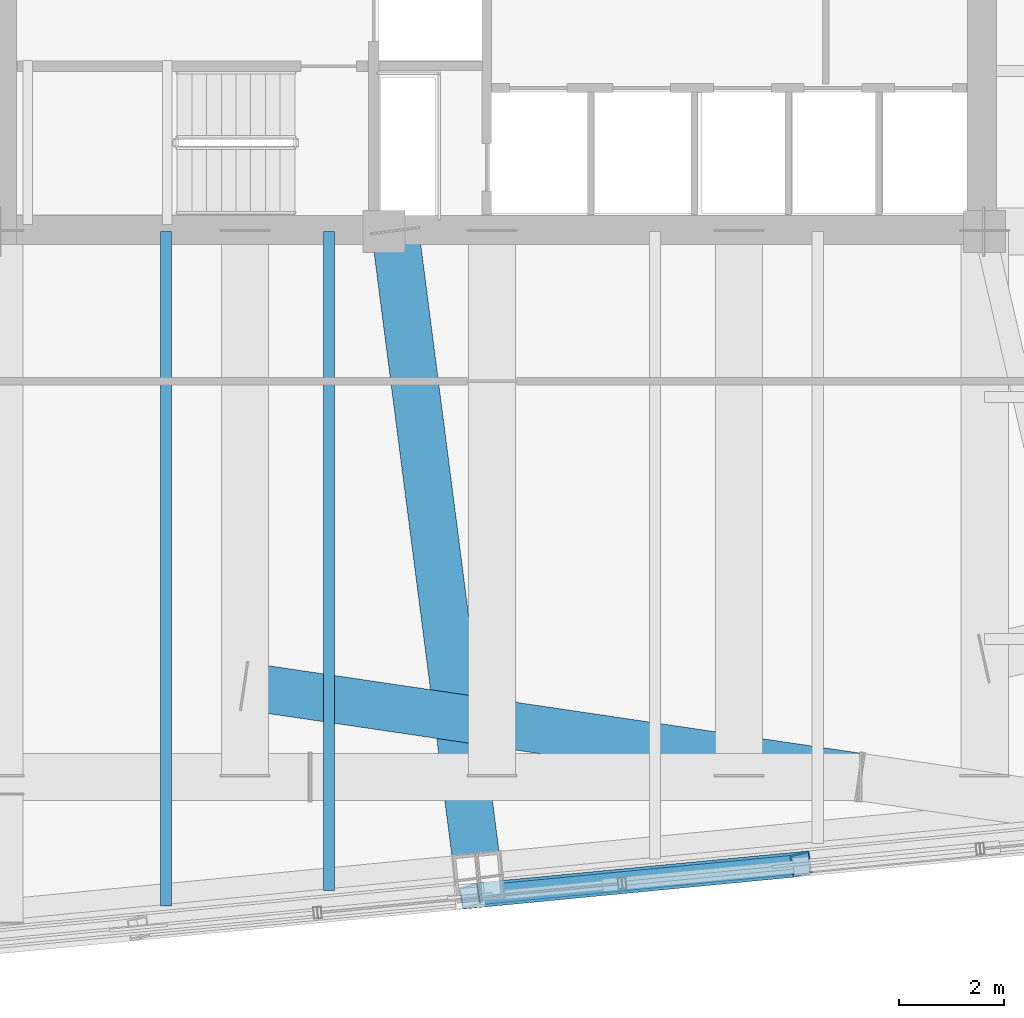
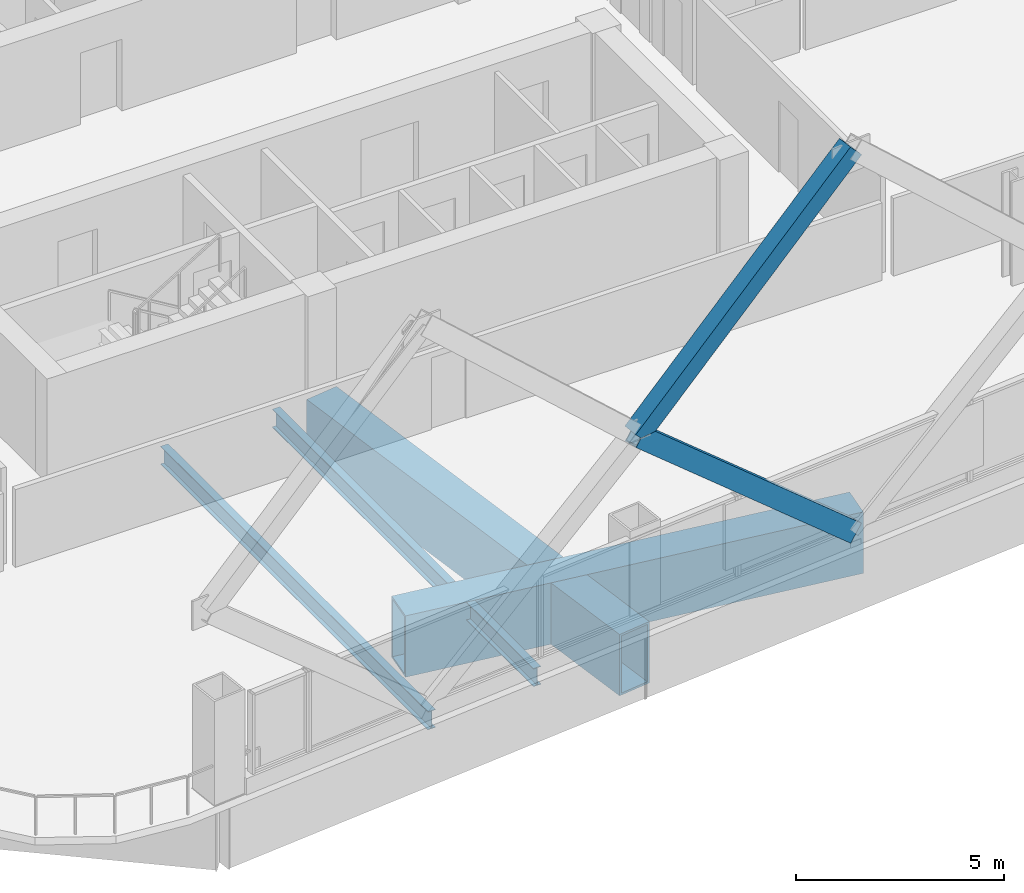
# One storey, part 7 of 42: 4 beams, 2 members.
"""IFC4 building model written with IfcOpenShell, lengths in metres."""

from ifc_helpers import new_model, si_unit, direction, frame, origin, origin_2d, place, context, subcontext, project, spatial, hollow_rectangle, i_section, extrude, material, material_profile, profile_set, type_object, element, save


model = new_model("IFC4")

# Units and contexts
model_context = context("Model", 3, precision=1e-05, world=origin(), true_north=direction((0.0, 1.0)))
body_context = subcontext(model_context, "Body", "Model", "MODEL_VIEW")
ifc_project = project(units=[si_unit("LENGTHUNIT", "METRE"), si_unit("AREAUNIT", "SQUARE_METRE"), si_unit("VOLUMEUNIT", "CUBIC_METRE"), si_unit("PLANEANGLEUNIT", "RADIAN"), si_unit("MASSUNIT", "GRAM", prefix="KILO")], contexts=[model_context])

# Site, building, storey
site_placement = place(None, origin())
site = spatial("IfcSite", under=ifc_project, at=site_placement, CompositionType="ELEMENT")
building_placement = place(site_placement, origin())
building = spatial("IfcBuilding", under=site, at=building_placement, Name="Qhalaya Broadcast Tower", CompositionType="ELEMENT")
storey_placement = place(building_placement, frame((0.0, 0.0, 69.449951171875)))
storey = spatial("IfcBuildingStorey", under=building, at=storey_placement, Name="L19", CompositionType="ELEMENT", Elevation=69.449951171875)

# Beams
ifc_material_1 = material(Name="Structural Steel ASTM A572 Grade 50", Category="steel")
ifc_material_profile_1 = material_profile(ifc_material_1, hollow_rectangle(XDim=0.89990234375, YDim=1.800048828125, WallThickness=0.06005859375, at=origin_2d()), Name="BOX 900x1800x60")
ifc_profile_set_1 = profile_set([ifc_material_profile_1], Name="Structural Steel ASTM A572 Grade 50")
beam_type_1 = type_object("IfcBeamType", Name="Block Cantilever Transfer Box Girder TG1", PredefinedType="USERDEFINED", material=ifc_profile_set_1)
beam_1_placement = place(storey_placement, frame((-1.839599609375, -8.75, -1.119873046875), z_axis=(0.127897552515, -0.991787384504, 0.0), x_axis=(0.991787384504, 0.127897552515, 0.0)))
element("IfcBeam", 1, at=beam_1_placement, inside=storey, type_object=beam_type_1, Name="L19 Continuous Cantilever Transfer Box Girder 02", ObjectType="GIRDER", PredefinedType="USERDEFINED", context=body_context, shape_type="SweptSolid", body=[
    extrude(hollow_rectangle(XDim=0.89990234375, YDim=1.800048828125, WallThickness=0.06005859375, at=origin_2d()), origin(), (0.0, 0.0, 1.0), 12.388671875),
])
beam_2_placement = place(storey_placement, frame((-4.699951171875, -17.40185546875, -1.119873046875), z_axis=(0.989274481041, -0.146068481065, 0.0), x_axis=(0.146068481065, 0.989274481041, 0.0)))
element("IfcBeam", 2, at=beam_2_placement, inside=storey, type_object=beam_type_1, Name="L19 Collinear Back-Span Transfer Box Girder 03", ObjectType="GIRDER", PredefinedType="USERDEFINED", context=body_context, shape_type="SweptSolid", body=[
    extrude(hollow_rectangle(XDim=0.89990234375, YDim=1.800048828125, WallThickness=0.06005859375, at=origin_2d()), origin(), (0.0, 0.0, 1.0), 11.830322265625),
])
ifc_material_2 = material(Name="Structural Steel ASTM A992 Grade 50", Category="steel")
ifc_material_profile_2 = material_profile(ifc_material_2, i_section(OverallWidth=0.2099609375, OverallDepth=0.535888671875, WebThickness=0.010986328125, FlangeThickness=0.017333984375, at=origin_2d()), Name="W21X68")
ifc_profile_set_2 = profile_set([ifc_material_profile_2], Name="Structural Steel ASTM A992 Grade 50")
beam_type_2 = type_object("IfcBeamType", Name="Composite Floor Joist J02", PredefinedType="JOIST", material=ifc_profile_set_2)
beam_3_placement = place(storey_placement, frame((-6.199951171875, -21.589111328125, -0.488037109375), z_axis=(0.0, 1.0, 0.0), x_axis=(-1.0, 0.0, 0.0)))
element("IfcBeam", 3, at=beam_3_placement, inside=storey, type_object=beam_type_2, Name="L19 J02 L19-JNS1-1", PredefinedType="JOIST", context=body_context, shape_type="SweptSolid", body=[
    extrude(i_section(OverallWidth=0.2099609375, OverallDepth=0.535888671875, WebThickness=0.010986328125, FlangeThickness=0.017333984375, at=origin_2d()), origin(), (0.0, 0.0, 1.0), 12.839111328125),
])
beam_4_placement = place(storey_placement, frame((-3.10009765625, -21.290771484375, -0.488037109375), z_axis=(0.0, 1.0, 0.0), x_axis=(-1.0, 0.0, 0.0)))
element("IfcBeam", 4, at=beam_4_placement, inside=storey, type_object=beam_type_2, Name="L19 J02 L19-JNS2-1", PredefinedType="JOIST", context=body_context, shape_type="SweptSolid", body=[
    extrude(i_section(OverallWidth=0.2099609375, OverallDepth=0.535888671875, WebThickness=0.010986328125, FlangeThickness=0.017333984375, at=origin_2d()), origin(), (0.0, 0.0, 1.0), 12.540771484375),
])

# Members
ifc_material_profile_3 = material_profile(ifc_material_1, hollow_rectangle(XDim=0.419921875, YDim=0.550048828125, WallThickness=0.028076171875, at=origin_2d()), Name="BOX 420x550x28")
ifc_profile_set_3 = profile_set([ifc_material_profile_3], Name="Structural Steel ASTM A572 Grade 50")
member_type = type_object("IfcMemberType", Name="Exoskeleton Diamond Diagonal Mid-Low EX2", PredefinedType="BRACE", material=ifc_profile_set_3)
member_1_placement = place(storey_placement, frame((5.882568359375, -20.78759765625, 0.360107421875), z_axis=(-0.758637209183, -0.073037413912, 0.647406457345), x_axis=(0.157155783857, -0.98486851796, 0.073048353381)))
element("IfcMember", 5, at=member_1_placement, inside=storey, type_object=member_type, Name="B2 Exoskeleton Diamond Brace S2-D1", PredefinedType="BRACE", context=body_context, shape_type="SweptSolid", body=[
    extrude(hollow_rectangle(XDim=0.419921875, YDim=0.550048828125, WallThickness=0.028076171875, at=origin_2d()), origin(), (0.0, 0.0, 1.0), 8.309814453125),
])
member_2_placement = place(storey_placement, frame((-0.421630859375, -21.39453125, 5.739990234375), z_axis=(0.730619555004, 0.070340028415, 0.679151931638), x_axis=(-0.160184449091, 0.984576934745, 0.070350563873)))
element("IfcMember", 6, at=member_2_placement, inside=storey, type_object=member_type, Name="B2 Exoskeleton Diamond Brace S2-D3", PredefinedType="BRACE", context=body_context, shape_type="SweptSolid", body=[
    extrude(hollow_rectangle(XDim=0.419921875, YDim=0.550048828125, WallThickness=0.028076171875, at=origin_2d()), origin(), (0.0, 0.0, 1.0), 8.628662109375),
])

save(model, "model.ifc")
